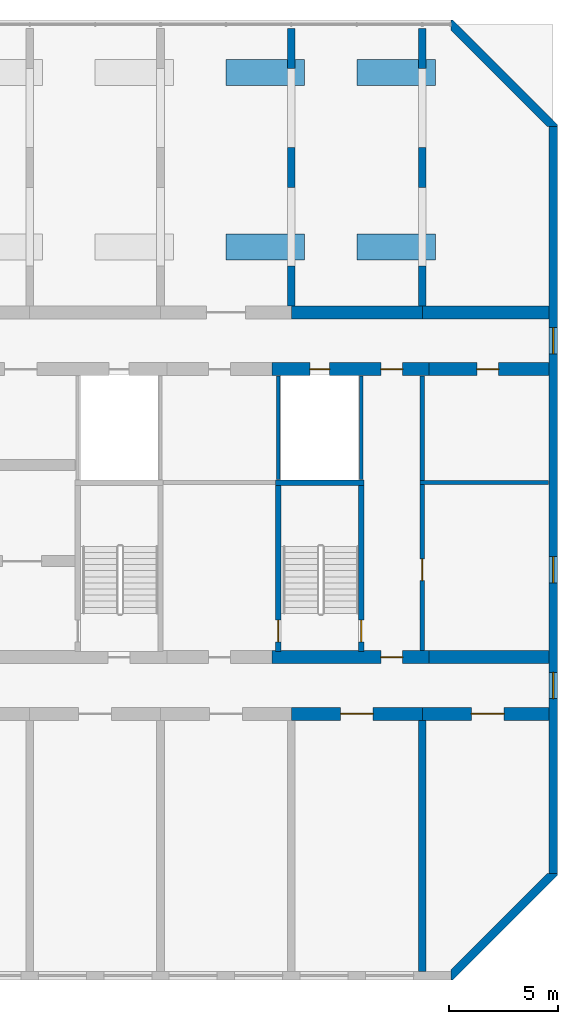
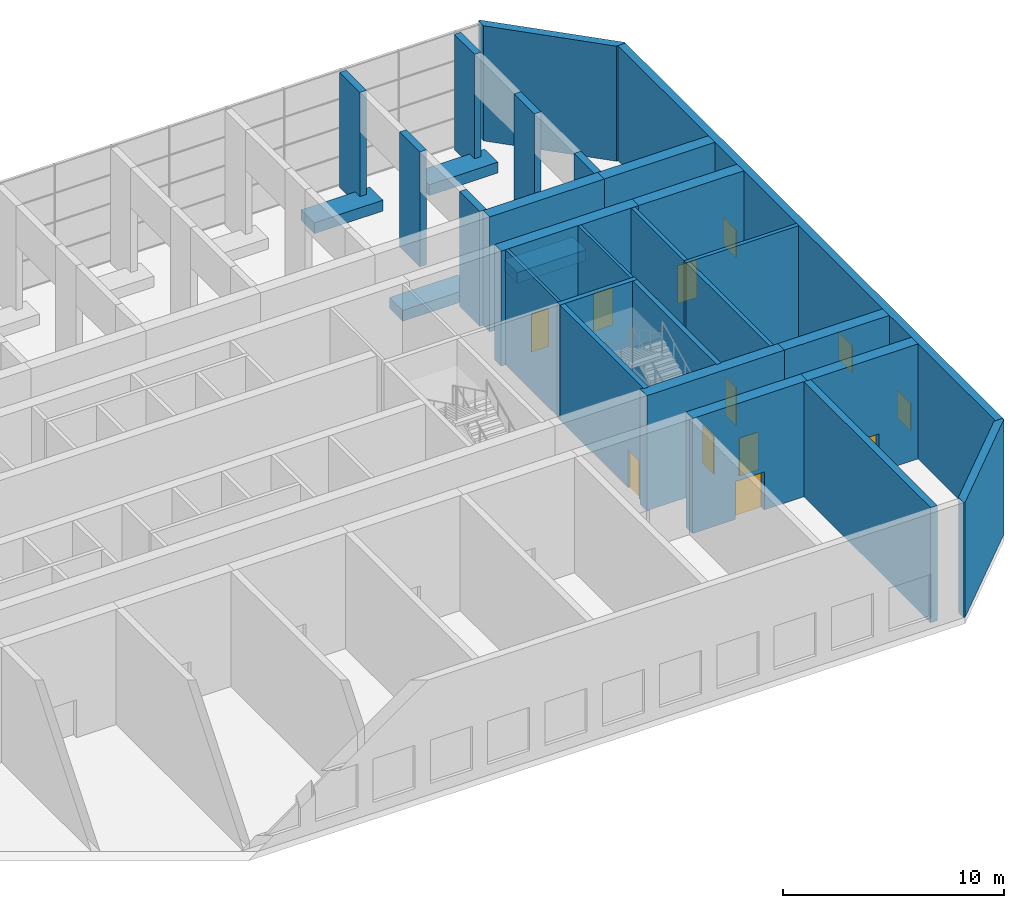
# One storey, part 12 of 16: 30 walls, 9 doors, 3 windows, 12 openings.
"""IFC4 building model written with IfcOpenShell, lengths in metres."""

from ifc_helpers import new_model, si_unit, direction, frame, frame_2d, origin, place, context, subcontext, project, spatial, polyline, rectangle, outline, extrude, source, transform, mapped, material, layer, layer_set, type_object, element, fill, save


model = new_model("IFC4")

# Units and contexts
model_context = context("Model", 3, precision=1e-05, world=origin(), true_north=direction((0.0, 1.0)))
body_context = subcontext(model_context, "Body", "Model", "MODEL_VIEW")
ifc_project = project(units=[si_unit("LENGTHUNIT", "METRE"), si_unit("AREAUNIT", "SQUARE_METRE"), si_unit("VOLUMEUNIT", "CUBIC_METRE"), si_unit("PLANEANGLEUNIT", "RADIAN"), si_unit("MASSUNIT", "GRAM", prefix="KILO")], contexts=[model_context])

# Site, building, storey
site_placement = place(None, origin())
site = spatial("IfcSite", under=ifc_project, at=site_placement, CompositionType="ELEMENT")
building_placement = place(site_placement, origin())
building = spatial("IfcBuilding", under=site, at=building_placement, Name="Poui Terraces", CompositionType="ELEMENT")
storey_placement = place(building_placement, frame((0.0, 0.0, 115.800048828125)))
storey = spatial("IfcBuildingStorey", under=building, at=storey_placement, Name="L32", CompositionType="ELEMENT", Elevation=115.800048828125)

# Wall, opening, door
ifc_material_1 = material(Name="Concrete 65 MPa", Category="concrete")
ifc_layer_1 = layer(ifc_material_1, 0.60009765625)
ifc_layer_set_1 = layer_set([ifc_layer_1], Name="Concrete 65 MPa")
wall_type_1 = type_object("IfcWallType", Name="BELT WALL 600 65MPa", PredefinedType="SHEAR", material=ifc_layer_set_1)
wall_1_placement = place(storey_placement, frame((78.0, 12.0, 0.0), z_axis=(0.0, 0.0, 1.0), x_axis=(1.0, 0.0, 0.0)))
wall_1 = element("IfcWall", 1, at=wall_1_placement, inside=storey, type_object=wall_type_1, Name="BELT WALL LINE B BAY 12", PredefinedType="SHEAR", context=body_context, shape_type="SweptSolid", body=[
    extrude(rectangle(XDim=6.0, YDim=0.60009765625, at=frame_2d((3.0, 0.0))), origin(), (0.0, 0.0, 1.0), 6.369873046875),
])
opening_1_placement = place(wall_1_placement, frame((2.25, 0.0, 0.0)))
opening_1 = element("IfcOpeningElement", 2, at=opening_1_placement, cuts=wall_1, Name="Opening FDP", PredefinedType="OPENING", context=body_context, shape_type="SweptSolid", body=[
    extrude(rectangle(XDim=1.5, YDim=2.10009765625, at=frame_2d((0.75, 1.050048828125))), frame((0.0, 0.31005859375, 0.0), z_axis=(0.0, -1.0, 0.0), x_axis=(1.0, 0.0, 0.0)), (0.0, 0.0, 1.0), 0.6201171875),
])
ifc_material_2 = material(Name="Steel fire door", Category="steel")
door_type_1 = type_object("IfcDoorType", Name="PLANT ROOM DOOR PAIR 1500 X 2100", OperationType="DOUBLE_DOOR_SINGLE_SWING", PredefinedType="DOOR", material=ifc_material_2)
door_1_placement = place(opening_1_placement, origin())
door_1 = element("IfcDoor", 3, at=door_1_placement, inside=storey, type_object=door_type_1, Name="PLANT ROOM DOOR PAIR 042", OperationType="DOUBLE_DOOR_SINGLE_SWING", OverallHeight=2.10009765625, OverallWidth=1.5, PredefinedType="DOOR", context=body_context, shape_type="SweptSolid", body=[
    extrude(rectangle(XDim=1.5, YDim=2.10009765625, at=frame_2d((0.75, 1.050048828125))), frame((0.0, 0.02490234375, 0.0), z_axis=(0.0, -1.0, 0.0), x_axis=(1.0, 0.0, 0.0)), (0.0, 0.0, 1.0), 0.050048828125),
])
fill(opening_1, door_1)

wall_2_placement = place(storey_placement, frame((84.0, 12.0, 0.0), z_axis=(0.0, 0.0, 1.0), x_axis=(1.0, 0.0, 0.0)))
wall_2 = element("IfcWall", 4, at=wall_2_placement, inside=storey, type_object=wall_type_1, Name="BELT WALL LINE B BAY 13", PredefinedType="SHEAR", context=body_context, shape_type="SweptSolid", body=[
    extrude(rectangle(XDim=5.800048828125, YDim=0.60009765625, at=frame_2d((2.89990234375, 0.0))), origin(), (0.0, 0.0, 1.0), 6.369873046875),
])
opening_2_placement = place(wall_2_placement, frame((2.25, 0.0, 0.0)))
opening_2 = element("IfcOpeningElement", 5, at=opening_2_placement, cuts=wall_2, Name="Opening FDP", PredefinedType="OPENING", context=body_context, shape_type="SweptSolid", body=[
    extrude(rectangle(XDim=1.5, YDim=2.10009765625, at=frame_2d((0.75, 1.050048828125))), frame((0.0, 0.31005859375, 0.0), z_axis=(0.0, -1.0, 0.0), x_axis=(1.0, 0.0, 0.0)), (0.0, 0.0, 1.0), 0.6201171875),
])
door_2_placement = place(opening_2_placement, origin())
door_2 = element("IfcDoor", 6, at=door_2_placement, inside=storey, type_object=door_type_1, Name="PLANT ROOM DOOR PAIR 044", OperationType="DOUBLE_DOOR_SINGLE_SWING", OverallHeight=2.10009765625, OverallWidth=1.5, PredefinedType="DOOR", context=body_context, shape_type="SweptSolid", body=[
    extrude(rectangle(XDim=1.5, YDim=2.10009765625, at=frame_2d((0.75, 1.050048828125))), frame((0.0, 0.02490234375, 0.0), z_axis=(0.0, -1.0, 0.0), x_axis=(1.0, 0.0, 0.0)), (0.0, 0.0, 1.0), 0.050048828125),
])
fill(opening_2, door_2)

# Walls
wall_3_placement = place(storey_placement, frame((78.0, 30.39990234375, 0.0), z_axis=(0.0, 0.0, 1.0), x_axis=(1.0, 0.0, 0.0)))
element("IfcWall", 7, at=wall_3_placement, inside=storey, type_object=wall_type_1, Name="BELT WALL LINE E BAY 12", PredefinedType="SHEAR", context=body_context, shape_type="SweptSolid", body=[
    extrude(rectangle(XDim=6.0, YDim=0.60009765625, at=frame_2d((3.0, 0.0))), origin(), (0.0, 0.0, 1.0), 6.369873046875),
])
wall_4_placement = place(storey_placement, frame((84.0, 30.39990234375, 0.0), z_axis=(0.0, 0.0, 1.0), x_axis=(1.0, 0.0, 0.0)))
element("IfcWall", 8, at=wall_4_placement, inside=storey, type_object=wall_type_1, Name="BELT WALL LINE E BAY 13", PredefinedType="SHEAR", context=body_context, shape_type="SweptSolid", body=[
    extrude(rectangle(XDim=5.800048828125, YDim=0.60009765625, at=frame_2d((2.89990234375, 0.0))), origin(), (0.0, 0.0, 1.0), 6.369873046875),
])
ifc_layer_2 = layer(ifc_material_1, 0.35009765625)
ifc_layer_set_2 = layer_set([ifc_layer_2], Name="Concrete 65 MPa")
wall_type_2 = type_object("IfcWallType", Name="CROSS WALL 350 65MPa", PredefinedType="SHEAR", material=ifc_layer_set_2)
wall_5_placement = place(storey_placement, frame((84.0, 0.199951171875, 0.0), z_axis=(0.0, 0.0, 1.0), x_axis=(0.0, 1.0, 0.0)))
element("IfcWall", 9, at=wall_5_placement, inside=storey, type_object=wall_type_2, Name="CROSS WALL LINE 15 SOUTH", PredefinedType="SHEAR", context=body_context, shape_type="SweptSolid", body=[
    extrude(rectangle(XDim=11.5, YDim=0.35009765625, at=frame_2d((5.75, 0.0))), origin(), (0.0, 0.0, 1.0), 6.369873046875),
])

# Wall, openings, windows
ifc_layer_3 = layer(ifc_material_1, 0.39990234375)
ifc_layer_set_3 = layer_set([ifc_layer_3], Name="Concrete 65 MPa")
wall_type_3 = type_object("IfcWallType", Name="END WALL 400 65MPa", PredefinedType="SHEAR", material=ifc_layer_set_3)
wall_6_placement = place(storey_placement, frame((90.0, 4.682861328125, 0.0), z_axis=(0.0, 0.0, 1.0), x_axis=(0.0, 1.0, 0.0)))
wall_6 = element("IfcWall", 10, at=wall_6_placement, inside=storey, type_object=wall_type_3, Name="END WALL EAST", PredefinedType="SHEAR", context=body_context, shape_type="SweptSolid", body=[
    extrude(rectangle(XDim=34.234375, YDim=0.39990234375, at=frame_2d((17.1171875, 0.0))), origin(), (0.0, 0.0, 1.0), 6.369873046875),
])
opening_3_placement = place(wall_6_placement, frame((23.817138671875, 0.0, 0.89990234375)))
opening_3 = element("IfcOpeningElement", 11, at=opening_3_placement, cuts=wall_6, Name="Opening W2", PredefinedType="OPENING", context=body_context, shape_type="SweptSolid", body=[
    extrude(rectangle(XDim=1.199951171875, YDim=1.5, at=frame_2d((0.60009765625, 0.75))), frame((0.0, 0.2099609375, 0.0), z_axis=(0.0, -1.0, 0.0), x_axis=(1.0, 0.0, 0.0)), (0.0, 0.0, 1.0), 0.419921875),
])
opening_4_placement = place(wall_6_placement, frame((8.01708984375, 0.0, 0.89990234375)))
opening_4 = element("IfcOpeningElement", 12, at=opening_4_placement, cuts=wall_6, Name="Opening W2", PredefinedType="OPENING", context=body_context, shape_type="SweptSolid", body=[
    extrude(rectangle(XDim=1.199951171875, YDim=1.5, at=frame_2d((0.60009765625, 0.75))), frame((0.0, 0.2099609375, 0.0), z_axis=(0.0, -1.0, 0.0), x_axis=(1.0, 0.0, 0.0)), (0.0, 0.0, 1.0), 0.419921875),
])
opening_5_placement = place(wall_6_placement, frame((13.317138671875, 0.0, 0.89990234375)))
opening_5 = element("IfcOpeningElement", 13, at=opening_5_placement, cuts=wall_6, Name="Opening W2", PredefinedType="OPENING", context=body_context, shape_type="SweptSolid", body=[
    extrude(rectangle(XDim=1.199951171875, YDim=1.5, at=frame_2d((0.60009765625, 0.75))), frame((0.0, 0.2099609375, 0.0), z_axis=(0.0, -1.0, 0.0), x_axis=(1.0, 0.0, 0.0)), (0.0, 0.0, 1.0), 0.419921875),
])
ifc_material_3 = material(Name="Clear glass in aluminium frame", Category="aluminium")
window_type = type_object("IfcWindowType", Name="WINDOW 1200X1500", PartitioningType="SINGLE_PANEL", PredefinedType="WINDOW", material=ifc_material_3)
window_1_placement = place(opening_3_placement, origin())
window_1 = element("IfcWindow", 14, at=window_1_placement, inside=storey, type_object=window_type, Name="W2 WINDOW", OverallHeight=1.5, OverallWidth=1.199951171875, PartitioningType="SINGLE_PANEL", PredefinedType="WINDOW", context=body_context, shape_type="SweptSolid", body=[
    extrude(rectangle(XDim=1.199951171875, YDim=1.5, at=frame_2d((0.60009765625, 0.75))), frame((0.0, 0.030029296875, 0.0), z_axis=(0.0, -1.0, 0.0), x_axis=(1.0, 0.0, 0.0)), (0.0, 0.0, 1.0), 0.06005859375),
])
fill(opening_3, window_1)
window_2_placement = place(opening_4_placement, origin())
window_2 = element("IfcWindow", 15, at=window_2_placement, inside=storey, type_object=window_type, Name="W2 WINDOW", OverallHeight=1.5, OverallWidth=1.199951171875, PartitioningType="SINGLE_PANEL", PredefinedType="WINDOW", context=body_context, shape_type="SweptSolid", body=[
    extrude(rectangle(XDim=1.199951171875, YDim=1.5, at=frame_2d((0.60009765625, 0.75))), frame((0.0, 0.030029296875, 0.0), z_axis=(0.0, -1.0, 0.0), x_axis=(1.0, 0.0, 0.0)), (0.0, 0.0, 1.0), 0.06005859375),
])
fill(opening_4, window_2)
window_3_placement = place(opening_5_placement, origin())
window_3 = element("IfcWindow", 16, at=window_3_placement, inside=storey, type_object=window_type, Name="W2 WINDOW", OverallHeight=1.5, OverallWidth=1.199951171875, PartitioningType="SINGLE_PANEL", PredefinedType="WINDOW", context=body_context, shape_type="SweptSolid", body=[
    extrude(rectangle(XDim=1.199951171875, YDim=1.5, at=frame_2d((0.60009765625, 0.75))), frame((0.0, 0.030029296875, 0.0), z_axis=(0.0, -1.0, 0.0), x_axis=(1.0, 0.0, 0.0)), (0.0, 0.0, 1.0), 0.06005859375),
])
fill(opening_5, window_3)

# Wall
ifc_layer_4 = layer(ifc_material_1, 0.60009765625)
ifc_layer_set_4 = layer_set([ifc_layer_4], Name="Concrete 65 MPa")
wall_type_4 = type_object("IfcWallType", Name="OUTRIGGER WALL 600 65MPa", PredefinedType="SHEAR", material=ifc_layer_set_4)
wall_7_placement = place(storey_placement, frame((84.300048828125, 14.60009765625, 0.0), z_axis=(0.0, 0.0, 1.0), x_axis=(1.0, 0.0, 0.0)))
element("IfcWall", 17, at=wall_7_placement, inside=storey, type_object=wall_type_4, Name="OUTRIGGER WALL LINE C E1", PredefinedType="SHEAR", context=body_context, shape_type="SweptSolid", body=[
    extrude(rectangle(XDim=5.5, YDim=0.60009765625, at=frame_2d((2.75, 0.0))), origin(), (0.0, 0.0, 1.0), 6.369873046875),
])

# Wall, opening, door
wall_8_placement = place(storey_placement, frame((84.300048828125, 27.800048828125, 0.0), z_axis=(0.0, 0.0, 1.0), x_axis=(1.0, 0.0, 0.0)))
wall_8 = element("IfcWall", 18, at=wall_8_placement, inside=storey, type_object=wall_type_4, Name="OUTRIGGER WALL LINE D E1", PredefinedType="SHEAR", context=body_context, shape_type="SweptSolid", body=[
    extrude(rectangle(XDim=5.5, YDim=0.60009765625, at=frame_2d((2.75, 0.0))), origin(), (0.0, 0.0, 1.0), 6.369873046875),
])
opening_6_placement = place(wall_8_placement, frame((2.199951171875, 0.0, 0.0)))
opening_6 = element("IfcOpeningElement", 19, at=opening_6_placement, cuts=wall_8, Name="Opening FD60", PredefinedType="OPENING", context=body_context, shape_type="SweptSolid", body=[
    extrude(rectangle(XDim=1.0, YDim=2.10009765625, at=frame_2d((0.5, 1.050048828125))), frame((0.0, 0.31005859375, 0.0), z_axis=(0.0, -1.0, 0.0), x_axis=(1.0, 0.0, 0.0)), (0.0, 0.0, 1.0), 0.6201171875),
])
door_type_2 = type_object("IfcDoorType", Name="SERVICE ROOM FIRE DOOR 1000 X 2100", OperationType="NOTDEFINED", PredefinedType="DOOR", material=ifc_material_2)
door_3_placement = place(opening_6_placement, origin())
door_3 = element("IfcDoor", 20, at=door_3_placement, inside=storey, type_object=door_type_2, Name="SERVICE ROOM FIRE DOOR 021", OperationType="SINGLE_SWING_LEFT", OverallHeight=2.10009765625, OverallWidth=1.0, PredefinedType="DOOR", context=body_context, shape_type="SweptSolid", body=[
    extrude(rectangle(XDim=1.0, YDim=2.10009765625, at=frame_2d((0.5, 1.050048828125))), frame((0.0, 0.02490234375, 0.0), z_axis=(0.0, -1.0, 0.0), x_axis=(1.0, 0.0, 0.0)), (0.0, 0.0, 1.0), 0.050048828125),
])
fill(opening_6, door_3)

# Walls
ifc_layer_5 = layer(ifc_material_1, 0.35009765625)
ifc_layer_set_5 = layer_set([ifc_layer_5], Name="Concrete 65 MPa")
wall_type_5 = type_object("IfcWallType", Name="PIERCED CROSS WALL 350 65MPa", PredefinedType="SHEAR", material=ifc_layer_set_5)
wall_9_placement = place(storey_placement, frame((78.0, 30.699951171875, 0.0), z_axis=(0.0, 0.0, 1.0), x_axis=(0.0, 1.0, 0.0)))
element("IfcWall", 21, at=wall_9_placement, inside=storey, type_object=wall_type_5, Name="PIER LINE 14 1", PredefinedType="SHEAR", context=body_context, shape_type="SweptSolid", body=[
    extrude(rectangle(XDim=1.833251953125, YDim=0.35009765625, at=frame_2d((0.91650390625, 0.0))), origin(), (0.0, 0.0, 1.0), 6.369873046875),
])
wall_10_placement = place(storey_placement, frame((78.0, 36.13330078125, 0.0), z_axis=(0.0, 0.0, 1.0), x_axis=(0.0, 1.0, 0.0)))
element("IfcWall", 22, at=wall_10_placement, inside=storey, type_object=wall_type_5, Name="PIER LINE 14 2", PredefinedType="SHEAR", context=body_context, shape_type="SweptSolid", body=[
    extrude(rectangle(XDim=1.83349609375, YDim=0.35009765625, at=frame_2d((0.916748046875, 0.0))), origin(), (0.0, 0.0, 1.0), 6.369873046875),
])
for number, where, z_axis, x_axis, name in (
    (23, (78.0, 41.566650390625, 0.0), (0.0, 0.0, 1.0), (0.0, 1.0, 0.0), "PIER LINE 14 3"),
    (24, (84.0, 30.699951171875, 0.0), (0.0, 0.0, 1.0), (0.0, 1.0, 0.0), "PIER LINE 15 1"),
):
    element("IfcWall", number, at=place(storey_placement, frame(where, z_axis=z_axis, x_axis=x_axis)), inside=storey, type_object=wall_type_5, Name=name, PredefinedType="SHEAR", context=body_context, shape_type="SweptSolid", body=[
        extrude(rectangle(XDim=1.833251953125, YDim=0.35009765625, at=frame_2d((0.91650390625, 0.0))), origin(), (0.0, 0.0, 1.0), 6.369873046875),
    ])
wall_11_placement = place(storey_placement, frame((84.0, 36.13330078125, 0.0), z_axis=(0.0, 0.0, 1.0), x_axis=(0.0, 1.0, 0.0)))
element("IfcWall", 25, at=wall_11_placement, inside=storey, type_object=wall_type_5, Name="PIER LINE 15 2", PredefinedType="SHEAR", context=body_context, shape_type="SweptSolid", body=[
    extrude(rectangle(XDim=1.83349609375, YDim=0.35009765625, at=frame_2d((0.916748046875, 0.0))), origin(), (0.0, 0.0, 1.0), 6.369873046875),
])
wall_12_placement = place(storey_placement, frame((84.0, 41.566650390625, 0.0), z_axis=(0.0, 0.0, 1.0), x_axis=(0.0, 1.0, 0.0)))
element("IfcWall", 26, at=wall_12_placement, inside=storey, type_object=wall_type_5, Name="PIER LINE 15 3", PredefinedType="SHEAR", context=body_context, shape_type="SweptSolid", body=[
    extrude(rectangle(XDim=1.833251953125, YDim=0.35009765625, at=frame_2d((0.91650390625, 0.0))), origin(), (0.0, 0.0, 1.0), 6.369873046875),
])
ifc_material_4 = material(Name="Fire-rated masonry wall", Category="masonry")
ifc_layer_6 = layer(ifc_material_4, 0.199951171875)
ifc_layer_set_6 = layer_set([ifc_layer_6], Name="Fire-rated masonry wall")
wall_type_6 = type_object("IfcWallType", Name="PLANT ROOM WALL 200", PredefinedType="PARTITIONING", material=ifc_layer_set_6)
wall_13_placement = place(storey_placement, frame((84.0, 22.699951171875, 0.0), z_axis=(0.0, 0.0, 1.0), x_axis=(0.0, 1.0, 0.0)))
element("IfcWall", 27, at=wall_13_placement, inside=storey, type_object=wall_type_6, Name="PLANT ROOM WALL 200", PredefinedType="PARTITIONING", context=body_context, shape_type="SweptSolid", body=[
    extrude(rectangle(XDim=4.7900390625, YDim=0.199951171875, at=frame_2d((2.39501953125, 0.0))), origin(), (0.0, 0.0, 1.0), 6.369873046875),
])
ifc_layer_7 = layer(ifc_material_4, 0.199951171875)
ifc_layer_set_7 = layer_set([ifc_layer_7], Name="Fire-rated masonry wall")
wall_type_7 = type_object("IfcWallType", Name="REFUGE AREA WALL 200", PredefinedType="PARTITIONING", material=ifc_layer_set_7)
wall_14_placement = place(storey_placement, frame((83.89990234375, 22.60009765625, 0.0), z_axis=(0.0, 0.0, 1.0), x_axis=(1.0, 0.0, 0.0)))
element("IfcWall", 28, at=wall_14_placement, inside=storey, type_object=wall_type_7, Name="REFUGE AREA WALL 200", PredefinedType="PARTITIONING", context=body_context, shape_type="SweptSolid", body=[
    extrude(rectangle(XDim=5.89013671875, YDim=0.199951171875, at=frame_2d((2.945068359375, 0.0))), origin(), (0.0, 0.0, 1.0), 6.369873046875),
])

# Wall, opening, door
wall_15_placement = place(storey_placement, frame((84.0, 14.909912109375, 0.0), z_axis=(0.0, 0.0, 1.0), x_axis=(0.0, 1.0, 0.0)))
wall_15 = element("IfcWall", 29, at=wall_15_placement, inside=storey, type_object=wall_type_7, Name="REFUGE AREA WALL 200", PredefinedType="PARTITIONING", context=body_context, shape_type="SweptSolid", body=[
    extrude(rectangle(XDim=7.590087890625, YDim=0.199951171875, at=frame_2d((3.794921875, 0.0))), origin(), (0.0, 0.0, 1.0), 6.369873046875),
])
opening_7_placement = place(wall_15_placement, frame((3.18994140625, 0.0, 0.0)))
opening_7 = element("IfcOpeningElement", 30, at=opening_7_placement, cuts=wall_15, Name="Opening FDRF", PredefinedType="OPENING", context=body_context, shape_type="SweptSolid", body=[
    extrude(rectangle(XDim=1.0, YDim=2.10009765625, at=frame_2d((0.5, 1.050048828125))), frame((0.0, 0.10986328125, 0.0), z_axis=(0.0, -1.0, 0.0), x_axis=(1.0, 0.0, 0.0)), (0.0, 0.0, 1.0), 0.219970703125),
])
door_type_3 = type_object("IfcDoorType", Name="REFUGE AREA DOOR 1000 X 2100", OperationType="NOTDEFINED", PredefinedType="DOOR", material=ifc_material_2)
door_4_placement = place(opening_7_placement, origin())
door_4 = element("IfcDoor", 31, at=door_4_placement, inside=storey, type_object=door_type_3, Name="REFUGE AREA DOOR 065", OperationType="SINGLE_SWING_LEFT", OverallHeight=2.10009765625, OverallWidth=1.0, PredefinedType="DOOR", context=body_context, shape_type="SweptSolid", body=[
    extrude(rectangle(XDim=1.0, YDim=2.10009765625, at=frame_2d((0.5, 1.050048828125))), frame((0.0, 0.02490234375, 0.0), z_axis=(0.0, -1.0, 0.0), x_axis=(1.0, 0.0, 0.0)), (0.0, 0.0, 1.0), 0.050048828125),
])
fill(opening_7, door_4)

# Walls
ifc_material_5 = material(Name="Fire-rated plasterboard riser wall")
ifc_layer_8 = layer(ifc_material_5, 0.14990234375)
ifc_layer_set_8 = layer_set([ifc_layer_8], Name="Fire-rated plasterboard riser wall")
wall_type_8 = type_object("IfcWallType", Name="RISER WALL 150", PredefinedType="PARTITIONING", material=ifc_layer_set_8)
for number, where, z_axis, x_axis, name in (
    (32, (77.39990234375, 22.735107421875, 0.0), (0.0, 0.0, 1.0), (0.0, 1.0, 0.0), "RISER WALL 150"),
    (33, (81.199951171875, 22.735107421875, 0.0), (0.0, 0.0, 1.0), (0.0, 1.0, 0.0), "RISER WALL 150"),
):
    element("IfcWall", number, at=place(storey_placement, frame(where, z_axis=z_axis, x_axis=x_axis)), inside=storey, type_object=wall_type_8, Name=name, PredefinedType="PARTITIONING", context=body_context, shape_type="SweptSolid", body=[
        extrude(rectangle(XDim=4.7548828125, YDim=0.14990234375, at=frame_2d((2.37744140625, 0.0))), origin(), (0.0, 0.0, 1.0), 6.369873046875),
    ])

# Wall, opening, door
ifc_layer_9 = layer(ifc_material_1, 0.60009765625)
ifc_layer_set_9 = layer_set([ifc_layer_9], Name="Concrete 65 MPa")
wall_type_9 = type_object("IfcWallType", Name="SPINE WALL 600 65 MPA", PredefinedType="SOLIDWALL", material=ifc_layer_set_9)
wall_16_placement = place(storey_placement, frame((77.10009765625, 14.60009765625, 0.0), z_axis=(0.0, 0.0, 1.0), x_axis=(1.0, 0.0, 0.0)))
wall_16 = element("IfcWall", 34, at=wall_16_placement, inside=storey, type_object=wall_type_9, Name="SPINE WALL", PredefinedType="SOLIDWALL", context=body_context, shape_type="SweptSolid", body=[
    extrude(rectangle(XDim=7.199951171875, YDim=0.60009765625, at=frame_2d((3.60009765625, 0.0))), origin(), (0.0, 0.0, 1.0), 6.369873046875),
])
opening_8_placement = place(wall_16_placement, frame((5.0, 0.0, 0.0)))
opening_8 = element("IfcOpeningElement", 35, at=opening_8_placement, cuts=wall_16, Name="Opening FDL", PredefinedType="OPENING", context=body_context, shape_type="SweptSolid", body=[
    extrude(rectangle(XDim=1.0, YDim=2.10009765625, at=frame_2d((0.5, 1.050048828125))), frame((0.0, 0.31005859375, 0.0), z_axis=(0.0, -1.0, 0.0), x_axis=(1.0, 0.0, 0.0)), (0.0, 0.0, 1.0), 0.6201171875),
])
door_type_4 = type_object("IfcDoorType", Name="LOBBY FIRE DOOR 1000 X 2100", OperationType="NOTDEFINED", PredefinedType="DOOR", material=ifc_material_2)
door_5_placement = place(opening_8_placement, frame((1.0, 0.0, 0.0), z_axis=(0.0, 0.0, 1.0), x_axis=(-1.0, 0.0, 0.0)))
door_5 = element("IfcDoor", 36, at=door_5_placement, inside=storey, type_object=door_type_4, Name="LOBBY FIRE DOOR 043", OperationType="SINGLE_SWING_LEFT", OverallHeight=2.10009765625, OverallWidth=1.0, PredefinedType="DOOR", context=body_context, shape_type="SweptSolid", body=[
    extrude(rectangle(XDim=1.0, YDim=2.10009765625, at=frame_2d((0.5, 1.050048828125))), frame((0.0, 0.02490234375, 0.0), z_axis=(0.0, -1.0, 0.0), x_axis=(1.0, 0.0, 0.0)), (0.0, 0.0, 1.0), 0.050048828125),
])
fill(opening_8, door_5)

# Wall, openings, doors
wall_17_placement = place(storey_placement, frame((77.10009765625, 27.800048828125, 0.0), z_axis=(0.0, 0.0, 1.0), x_axis=(1.0, 0.0, 0.0)))
wall_17 = element("IfcWall", 37, at=wall_17_placement, inside=storey, type_object=wall_type_9, Name="SPINE WALL", PredefinedType="SOLIDWALL", context=body_context, shape_type="SweptSolid", body=[
    extrude(rectangle(XDim=7.199951171875, YDim=0.60009765625, at=frame_2d((3.60009765625, 0.0))), origin(), (0.0, 0.0, 1.0), 6.369873046875),
])
opening_9_placement = place(wall_17_placement, frame((1.75, 0.0, 0.0)))
opening_9 = element("IfcOpeningElement", 38, at=opening_9_placement, cuts=wall_17, Name="Opening FDR", PredefinedType="OPENING", context=body_context, shape_type="SweptSolid", body=[
    extrude(rectangle(XDim=0.89990234375, YDim=2.10009765625, at=frame_2d((0.449951171875, 1.050048828125))), frame((0.0, 0.31005859375, 0.0), z_axis=(0.0, -1.0, 0.0), x_axis=(1.0, 0.0, 0.0)), (0.0, 0.0, 1.0), 0.6201171875),
])
opening_10_placement = place(wall_17_placement, frame((5.0, 0.0, 0.0)))
opening_10 = element("IfcOpeningElement", 39, at=opening_10_placement, cuts=wall_17, Name="Opening FDL", PredefinedType="OPENING", context=body_context, shape_type="SweptSolid", body=[
    extrude(rectangle(XDim=1.0, YDim=2.10009765625, at=frame_2d((0.5, 1.050048828125))), frame((0.0, 0.31005859375, 0.0), z_axis=(0.0, -1.0, 0.0), x_axis=(1.0, 0.0, 0.0)), (0.0, 0.0, 1.0), 0.6201171875),
])
door_6_placement = place(opening_10_placement, origin())
door_6 = element("IfcDoor", 40, at=door_6_placement, inside=storey, type_object=door_type_4, Name="LOBBY FIRE DOOR 020", OperationType="SINGLE_SWING_RIGHT", OverallHeight=2.10009765625, OverallWidth=1.0, PredefinedType="DOOR", context=body_context, shape_type="SweptSolid", body=[
    extrude(rectangle(XDim=1.0, YDim=2.10009765625, at=frame_2d((0.5, 1.050048828125))), frame((0.0, 0.02490234375, 0.0), z_axis=(0.0, -1.0, 0.0), x_axis=(1.0, 0.0, 0.0)), (0.0, 0.0, 1.0), 0.050048828125),
])
fill(opening_10, door_6)
door_type_5 = type_object("IfcDoorType", Name="RISER CUPBOARD DOOR 900 X 2100", OperationType="NOTDEFINED", PredefinedType="DOOR", material=ifc_material_2)
door_7_placement = place(opening_9_placement, origin())
door_7 = element("IfcDoor", 41, at=door_7_placement, inside=storey, type_object=door_type_5, Name="RISER CUPBOARD DOOR 019", OperationType="SINGLE_SWING_RIGHT", OverallHeight=2.10009765625, OverallWidth=0.89990234375, PredefinedType="DOOR", context=body_context, shape_type="SweptSolid", body=[
    extrude(rectangle(XDim=0.89990234375, YDim=2.10009765625, at=frame_2d((0.449951171875, 1.050048828125))), frame((0.0, 0.02490234375, 0.0), z_axis=(0.0, -1.0, 0.0), x_axis=(1.0, 0.0, 0.0)), (0.0, 0.0, 1.0), 0.050048828125),
])
fill(opening_9, door_7)

# Wall, opening, door
ifc_layer_10 = layer(ifc_material_1, 0.25)
ifc_layer_set_10 = layer_set([ifc_layer_10], Name="Concrete 65 MPa")
wall_type_10 = type_object("IfcWallType", Name="STAIR CORE WALL 250 65 MPA", PredefinedType="SOLIDWALL", material=ifc_layer_set_10)
wall_18_placement = place(storey_placement, frame((77.39990234375, 14.85009765625, 0.0), z_axis=(0.0, 0.0, 1.0), x_axis=(0.0, 1.0, 0.0)))
wall_18 = element("IfcWall", 42, at=wall_18_placement, inside=storey, type_object=wall_type_10, Name="STAIR CORE WALL", PredefinedType="SOLIDWALL", context=body_context, shape_type="SweptSolid", body=[
    extrude(rectangle(XDim=7.625, YDim=0.25, at=frame_2d((3.8125, 0.0))), origin(), (0.0, 0.0, 1.0), 6.369873046875),
])
opening_11_placement = place(wall_18_placement, frame((0.449951171875, 0.0, 0.0)))
opening_11 = element("IfcOpeningElement", 43, at=opening_11_placement, cuts=wall_18, Name="Opening FDRF", PredefinedType="OPENING", context=body_context, shape_type="SweptSolid", body=[
    extrude(rectangle(XDim=1.0, YDim=2.10009765625, at=frame_2d((0.5, 1.050048828125))), frame((0.0, 0.135009765625, 0.0), z_axis=(0.0, -1.0, 0.0), x_axis=(1.0, 0.0, 0.0)), (0.0, 0.0, 1.0), 0.27001953125),
])
door_8_placement = place(opening_11_placement, frame((1.0, 0.0, 0.0), z_axis=(0.0, 0.0, 1.0), x_axis=(-1.0, 0.0, 0.0)))
door_8 = element("IfcDoor", 44, at=door_8_placement, inside=storey, type_object=door_type_3, Name="REFUGE AREA DOOR 062", OperationType="SINGLE_SWING_LEFT", OverallHeight=2.10009765625, OverallWidth=1.0, PredefinedType="DOOR", context=body_context, shape_type="SweptSolid", body=[
    extrude(rectangle(XDim=1.0, YDim=2.10009765625, at=frame_2d((0.5, 1.050048828125))), frame((0.0, 0.02490234375, 0.0), z_axis=(0.0, -1.0, 0.0), x_axis=(1.0, 0.0, 0.0)), (0.0, 0.0, 1.0), 0.050048828125),
])
fill(opening_11, door_8)

wall_19_placement = place(storey_placement, frame((81.199951171875, 14.85009765625, 0.0), z_axis=(0.0, 0.0, 1.0), x_axis=(0.0, 1.0, 0.0)))
wall_19 = element("IfcWall", 45, at=wall_19_placement, inside=storey, type_object=wall_type_10, Name="STAIR CORE WALL", PredefinedType="SOLIDWALL", context=body_context, shape_type="SweptSolid", body=[
    extrude(rectangle(XDim=7.625, YDim=0.25, at=frame_2d((3.8125, 0.0))), origin(), (0.0, 0.0, 1.0), 6.369873046875),
])
opening_12_placement = place(wall_19_placement, frame((0.449951171875, 0.0, 0.0)))
opening_12 = element("IfcOpeningElement", 46, at=opening_12_placement, cuts=wall_19, Name="Opening FD60S", PredefinedType="OPENING", context=body_context, shape_type="SweptSolid", body=[
    extrude(rectangle(XDim=1.0, YDim=2.10009765625, at=frame_2d((0.5, 1.050048828125))), frame((0.0, 0.135009765625, 0.0), z_axis=(0.0, -1.0, 0.0), x_axis=(1.0, 0.0, 0.0)), (0.0, 0.0, 1.0), 0.27001953125),
])
door_type_6 = type_object("IfcDoorType", Name="STAIR DOOR 1000 X 2100", OperationType="NOTDEFINED", PredefinedType="DOOR", material=ifc_material_2)
door_9_placement = place(opening_12_placement, origin())
door_9 = element("IfcDoor", 47, at=door_9_placement, inside=storey, type_object=door_type_6, Name="STAIR DOOR 064", OperationType="SINGLE_SWING_LEFT", OverallHeight=2.10009765625, OverallWidth=1.0, PredefinedType="DOOR", context=body_context, shape_type="SweptSolid", body=[
    extrude(rectangle(XDim=1.0, YDim=2.10009765625, at=frame_2d((0.5, 1.050048828125))), frame((0.0, 0.02490234375, 0.0), z_axis=(0.0, -1.0, 0.0), x_axis=(1.0, 0.0, 0.0)), (0.0, 0.0, 1.0), 0.050048828125),
])
fill(opening_12, door_9)

# Walls
wall_20_placement = place(storey_placement, frame((77.27490234375, 22.60009765625, 0.0), z_axis=(0.0, 0.0, 1.0), x_axis=(1.0, 0.0, 0.0)))
element("IfcWall", 48, at=wall_20_placement, inside=storey, type_object=wall_type_10, Name="STAIR CORE WALL", PredefinedType="SOLIDWALL", context=body_context, shape_type="SweptSolid", body=[
    extrude(rectangle(XDim=4.050048828125, YDim=0.25, at=frame_2d((2.02490234375, 0.0))), origin(), (0.0, 0.0, 1.0), 6.369873046875),
])
ifc_material_6 = material(Name="Precast concrete 40 MPa", Category="concrete")
ifc_layer_11 = layer(ifc_material_6, 0.39990234375)
ifc_layer_set_11 = layer_set([ifc_layer_11], Name="Precast concrete 40 MPa")
wall_type_11 = type_object("IfcWallType", Name="TERRACOTTA CLAD CHAMFER WALL 400", PredefinedType="STANDARD", material=ifc_layer_set_11)
wall_21_placement = place(storey_placement, origin())
element("IfcWall", 49, at=wall_21_placement, inside=storey, type_object=wall_type_11, Name="CHAMFER WALL CH01", PredefinedType="STANDARD", context=body_context, shape_type="SweptSolid", body=[
    extrude(outline(polyline([(85.317138671875, -0.199951171875), (85.39990234375, -0.199951171875), (90.199951171875, 4.60009765625), (90.199951171875, 4.682861328125), (89.71728515625, 4.682861328125), (85.317138671875, 0.28271484375), (85.317138671875, -0.199951171875)])), origin(), (0.0, 0.0, 1.0), 6.369873046875),
])
wall_22_placement = place(storey_placement, origin())
element("IfcWall", 50, at=wall_22_placement, inside=storey, type_object=wall_type_11, Name="CHAMFER WALL CH03", PredefinedType="STANDARD", context=body_context, shape_type="SweptSolid", body=[
    extrude(outline(polyline([(90.199951171875, 38.917236328125), (90.199951171875, 39.0), (85.39990234375, 43.800048828125), (85.317138671875, 43.800048828125), (85.317138671875, 43.317138671875), (89.71728515625, 38.917236328125), (90.199951171875, 38.917236328125)])), origin(), (0.0, 0.0, 1.0), 6.369873046875),
])
ifc_layer_12 = layer(ifc_material_6, 1.199951171875)
ifc_layer_set_12 = layer_set([ifc_layer_12], Name="Precast concrete 40 MPa")
wall_type_12 = type_object("IfcWallType", Name="PLANTER 600", PredefinedType="USERDEFINED", material=ifc_layer_set_12)
shared_shape = source(origin(), body_context, "Body", "SweptSolid", [
    extrude(outline(polyline([(0.0, 0.0), (3.60009765625, 0.0), (3.60009765625, 1.199951171875), (0.0, 1.199951171875), (0.0, 0.0)])), origin(), (0.0, 0.0, 1.0), 0.599853515625),
])
for number, where, name in (
    (51, (75.0, 32.800048828125, 0.0), "PLANTER"),
    (52, (81.0, 32.800048828125, 0.0), "PLANTER"),
    (53, (75.0, 40.800048828125, 0.0), "PLANTER"),
    (54, (81.0, 40.800048828125, 0.0), "PLANTER"),
):
    element("IfcWall", number, at=place(storey_placement, frame(where)), inside=storey, type_object=wall_type_12, Name=name, ObjectType="PLANTER", PredefinedType="USERDEFINED", context=body_context, shape_type="MappedRepresentation", body=[
        mapped(shared_shape, transform((0.0, 0.0, 0.0))),
    ])

save(model, "model.ifc")
